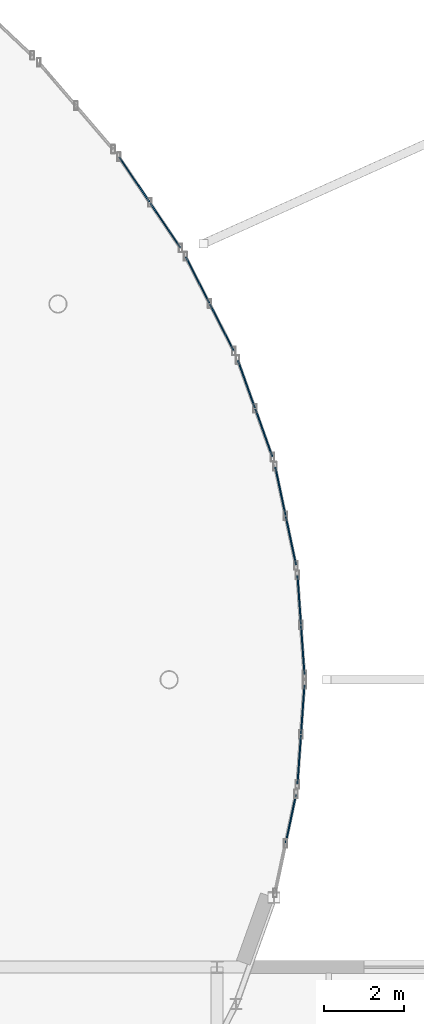
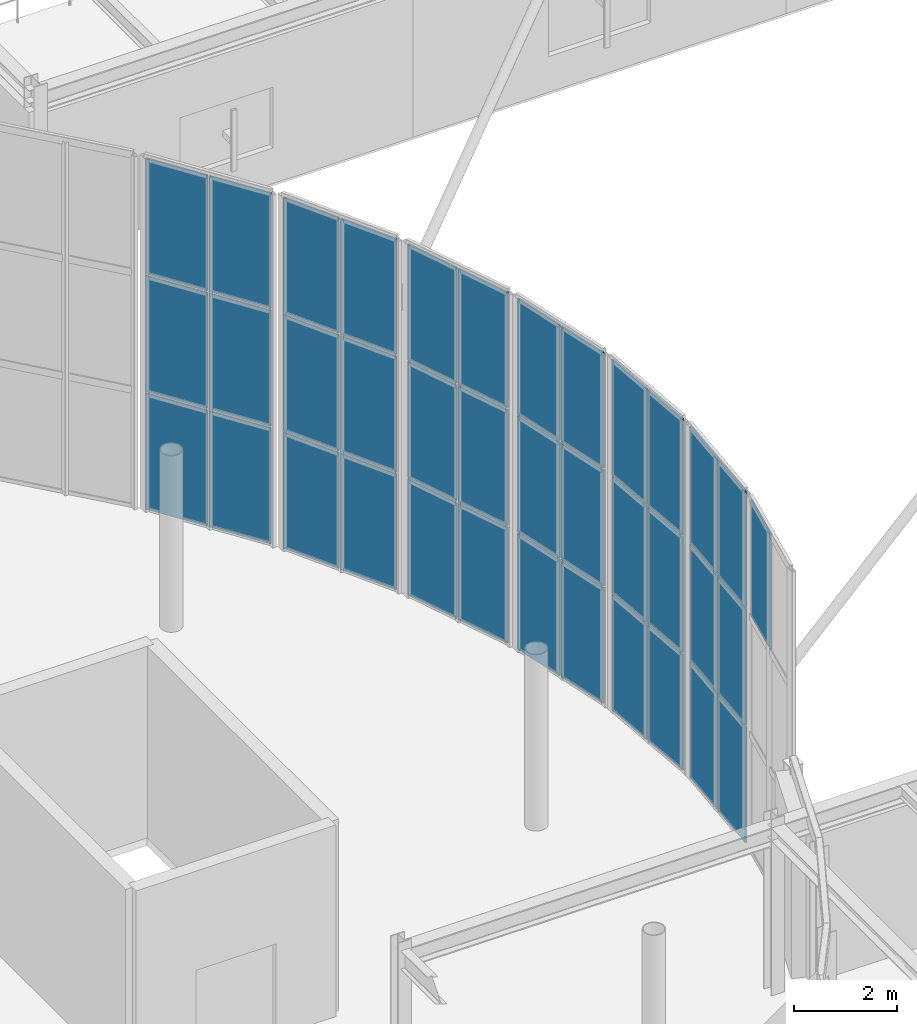
# One storey, part 49 of 109: 37 plates, 7 elements without a shape of their own.
"""IFC4 building model written with IfcOpenShell, lengths in metres."""

import ifcopenshell
import ifcopenshell.guid

model = None  # the IFC model being written
_history = None  # IfcOwnerHistory: only IFC2X3 demands one
_inside = {}  # id of a spatial element -> (the spatial element, [elements in it])
_under = {}  # id of a project, library or spatial element -> (it, [spatial elements below it])
_declared = {}  # id of a project -> (the project, [libraries it declares])
_typed = {}  # id of a type object -> (the type object, [elements of that type])
_made_of = {}  # id of a material, layer set ... -> (it, [elements and type objects made of it])


def new_model(schema):
    """Start an empty IFC model of exactly this schema.

    Asked for "IFC4X3", IfcOpenShell would pick the latest addendum, in which some entities
    have other attributes; the version numbers below select the first issue.
    IFC2X3 requires an IfcOwnerHistory on every rooted entity: one is made here for all.
    """
    global model, _history
    if schema == "IFC4X3":
        model = ifcopenshell.file(schema_version=(4, 3, 0, 0))
    else:
        model = ifcopenshell.file(schema=schema)
    _inside.clear()
    _under.clear()
    _declared.clear()
    _typed.clear()
    _made_of.clear()
    _history = None
    if model.schema == "IFC2X3":
        org = make("IfcOrganization", Name="unknown")
        user = make(
            "IfcPersonAndOrganization",
            ThePerson=make("IfcPerson", FamilyName="unknown"),
            TheOrganization=org,
        )
        app = make(
            "IfcApplication",
            ApplicationDeveloper=org,
            Version="unknown",
            ApplicationFullName="unknown",
            ApplicationIdentifier="unknown",
        )
        _history = make(
            "IfcOwnerHistory",
            OwningUser=user,
            OwningApplication=app,
            ChangeAction="ADDED",
            CreationDate=0,
        )
    return model


def make(cls, **values):
    """One entity of the class cls with the attributes given. An attribute that is None is left unset."""
    return model.create_entity(
        cls, **{name: value for name, value in values.items() if value is not None}
    )


def rooted(cls, **values):
    """An entity with a GlobalId (a new one), such as an element, a storey or a relation."""
    return make(cls, GlobalId=ifcopenshell.guid.new(), OwnerHistory=_history, **values)


def si_unit(unit_type, name, prefix=None):
    """IfcSIUnit, for example si_unit("LENGTHUNIT", "METRE", prefix="MILLI")."""
    return make("IfcSIUnit", UnitType=unit_type, Prefix=prefix, Name=name)


def derived_unit(unit_type, elements):
    """IfcDerivedUnit: a product of units, each with its exponent."""
    return make(
        "IfcDerivedUnit",
        Elements=[
            make("IfcDerivedUnitElement", Unit=unit, Exponent=power)
            for unit, power in elements
        ],
        UnitType=unit_type,
    )


def assignment(units):
    """IfcUnitAssignment: the units of a project."""
    return None if units is None else make("IfcUnitAssignment", Units=units)


def point(xyz):
    """IfcCartesianPoint."""
    return None if xyz is None else make("IfcCartesianPoint", Coordinates=xyz)


def direction(xyz):
    """IfcDirection."""
    return None if xyz is None else make("IfcDirection", DirectionRatios=xyz)


def frame(location, z_axis=None, x_axis=None):
    """IfcAxis2Placement3D, a coordinate frame: its origin and axes. An axis left out is left unset."""
    return make(
        "IfcAxis2Placement3D",
        Location=point(location),
        Axis=direction(z_axis),
        RefDirection=direction(x_axis),
    )


def frame_2d(location, x_axis=None):
    """IfcAxis2Placement2D, a coordinate frame in the plane: its origin and x axis."""
    return make(
        "IfcAxis2Placement2D", Location=point(location), RefDirection=direction(x_axis)
    )


def origin():
    """The frame at (0, 0, 0) with its axes left unset."""
    return frame((0.0, 0.0, 0.0))


def origin_2d():
    """The frame at (0, 0) in the plane with its x axis left unset."""
    return frame_2d((0.0, 0.0))


def place(relative_to, where):
    """IfcLocalPlacement: puts the frame where relative to a parent placement (None: the world)."""
    return make(
        "IfcLocalPlacement", PlacementRelTo=relative_to, RelativePlacement=where
    )


def context(
    kind, dimensions, precision=None, world=None, true_north=None, identifier=None
):
    """IfcGeometricRepresentationContext, for example the 3D "Model" context."""
    return make(
        "IfcGeometricRepresentationContext",
        ContextIdentifier=identifier,
        ContextType=kind,
        CoordinateSpaceDimension=dimensions,
        Precision=precision,
        WorldCoordinateSystem=world,
        TrueNorth=true_north,
    )


def subcontext(parent, identifier, kind, view, scale=None):
    """IfcGeometricRepresentationSubContext, for example "Body" below "Model"."""
    return make(
        "IfcGeometricRepresentationSubContext",
        ContextIdentifier=identifier,
        ContextType=kind,
        ParentContext=parent,
        TargetScale=scale,
        TargetView=view,
    )


def project(units=None, contexts=None):
    """IfcProject with its units and contexts."""
    return rooted(
        "IfcProject",
        Name="project",
        RepresentationContexts=contexts,
        UnitsInContext=assignment(units),
    )


def spatial(cls, under=None, at=None, **own):
    """A site, building, storey or space (cls), placed at a placement, below another one or the project."""
    s = rooted(cls, ObjectPlacement=at, **own)
    if under is not None:
        _under.setdefault(under.id(), (under, []))[1].append(s)
    return s


def profile(cls, at=None, kind="AREA", **sizes):
    """A parametric profile (cls). Its sizes go by their IFC names, for example OverallWidth=200.0."""
    return make(cls, ProfileType=kind, Position=at, **sizes)


def rectangle(**sizes):
    """IfcRectangleProfileDef."""
    return profile("IfcRectangleProfileDef", **sizes)


def extrude(swept, where, along, depth):
    """IfcExtrudedAreaSolid: the profile swept, set in the frame where, extruded along a direction by depth."""
    return make(
        "IfcExtrudedAreaSolid",
        SweptArea=swept,
        Position=where,
        ExtrudedDirection=direction(along),
        Depth=depth,
    )


def shape(context_of_items, identifier, shape_type, items):
    """IfcShapeRepresentation: the items that make up one representation, for example the "Body"."""
    return make(
        "IfcShapeRepresentation",
        ContextOfItems=context_of_items,
        RepresentationIdentifier=identifier,
        RepresentationType=shape_type,
        Items=items,
    )


def material(Name=None, Category=None):
    """IfcMaterial."""
    return make("IfcMaterial", Name=Name, Category=Category)


def layer(
    of_material, thickness, ventilated=None, Name=None, Category=None, Priority=None
):
    """IfcMaterialLayer: one layer of a wall or slab, of a material (None: an air gap)."""
    return make(
        "IfcMaterialLayer",
        Material=of_material,
        LayerThickness=thickness,
        IsVentilated=ventilated,
        Name=Name,
        Category=Category,
        Priority=Priority,
    )


def layer_set(layers, Name=None):
    """IfcMaterialLayerSet."""
    return make("IfcMaterialLayerSet", MaterialLayers=layers, LayerSetName=Name)


def made_of(thing, what):
    """Note that an element or type object is made of a material, layer set ...; save() writes the relation."""
    if what is not None:
        _made_of.setdefault(what.id(), (what, []))[1].append(thing)
    return thing


def type_object(cls, material=None, **own):
    """A type object (cls), such as IfcWallType, which elements share."""
    return made_of(rooted(cls, **own), material)


def element(
    cls,
    number,
    at=None,
    inside=None,
    cuts=None,
    type_object=None,
    material=None,
    context=None,
    identifier="Body",
    shape_type=None,
    held_by="IfcProductDefinitionShape",
    body=None,
    shapes=None,
    **own,
):
    """One element of the class cls, such as IfcWall. Its Tag is "e" and its number.

    at: its placement. inside: the storey or other place that contains it. cuts: it is an
    opening in that element (IfcRelVoidsElement). A single representation is given by context,
    identifier, shape_type and body (its items); several are given by shapes. held_by: the class
    of the entity that holds the representations. save() writes the other relations.
    """
    e = rooted(cls, Tag="e%d" % number, ObjectPlacement=at, **own)
    if body is not None:
        shapes = [shape(context, identifier, shape_type, body)]
    if shapes is not None:
        e.Representation = make(held_by, Representations=shapes)
    if inside is not None:
        _inside.setdefault(inside.id(), (inside, []))[1].append(e)
    if cuts is not None:
        rooted(
            "IfcRelVoidsElement", RelatingBuildingElement=cuts, RelatedOpeningElement=e
        )
    if type_object is not None:
        _typed.setdefault(type_object.id(), (type_object, []))[1].append(e)
    return made_of(e, material)


def aggregate(whole, parts):
    """IfcRelAggregates: a whole, such as a stair, and the parts it consists of."""
    return rooted("IfcRelAggregates", RelatingObject=whole, RelatedObjects=parts)


def save(model, path):
    """Write the relations noted so far, then the file.

    IfcRelAggregates (storeys below a building ...), IfcRelContainedInSpatialStructure (elements
    in a storey), IfcRelDefinesByType, IfcRelAssociatesMaterial and IfcRelDeclares: one each for
    every whole, place, type object, material and project.
    """
    for whole, parts in _under.values():
        aggregate(whole, parts)
    for where, things in _inside.values():
        rooted(
            "IfcRelContainedInSpatialStructure",
            RelatedElements=things,
            RelatingStructure=where,
        )
    for kind, things in _typed.values():
        rooted("IfcRelDefinesByType", RelatedObjects=things, RelatingType=kind)
    for what, things in _made_of.values():
        rooted("IfcRelAssociatesMaterial", RelatedObjects=things, RelatingMaterial=what)
    for by, libraries in _declared.values():
        rooted("IfcRelDeclares", RelatingContext=by, RelatedDefinitions=libraries)
    model.write(path)


model = new_model("IFC4")

# Units and contexts
model_context = context("Model", 3, precision=1e-05, world=origin(), true_north=direction((0.0, 1.0)))
body_context = subcontext(model_context, "Body", "Model", "MODEL_VIEW")
ifc_project = project(units=[si_unit("LENGTHUNIT", "METRE"), si_unit("AREAUNIT", "SQUARE_METRE"), si_unit("VOLUMEUNIT", "CUBIC_METRE"), si_unit("PLANEANGLEUNIT", "RADIAN"), si_unit("MASSUNIT", "GRAM", prefix="KILO"), derived_unit("THERMALTRANSMITTANCEUNIT", [(si_unit("MASSUNIT", "GRAM", prefix="KILO"), 1), (si_unit("TIMEUNIT", "SECOND"), -3), (si_unit("THERMODYNAMICTEMPERATUREUNIT", "KELVIN"), -1)])], contexts=[model_context])

# Site, building, storey
site_placement = place(None, origin())
site = spatial("IfcSite", under=ifc_project, at=site_placement, CompositionType="ELEMENT")
building_placement = place(site_placement, origin())
building = spatial("IfcBuilding", under=site, at=building_placement, Name="Kharveza Railside Sports Centre", CompositionType="ELEMENT")
storey_placement = place(building_placement, frame((0.0, 0.0, 4.5)))
storey = spatial("IfcBuildingStorey", under=building, at=storey_placement, Name="L01", CompositionType="ELEMENT", Elevation=4.5)

# Curtain wall, plates
ifc_material = material(Name="Low-E solar-control laminated glass", Category="glass")
curtain_wall_type = type_object("IfcCurtainWallType", Name="CW-DR01", PredefinedType="NOTDEFINED", material=ifc_material)
curtain_wall_1_placement = place(storey_placement, origin())
curtain_wall_1 = element("IfcCurtainWall", 1, at=curtain_wall_1_placement, inside=storey, type_object=curtain_wall_type, Name="CW-DRUM-01", PredefinedType="NOTDEFINED")
ifc_layer = layer(ifc_material, 0.035888671875, Name="Low-E solar-control laminated glass")
ifc_layer_set = layer_set([ifc_layer], Name="Low-E solar-control laminated glass")
plate_type = type_object("IfcPlateType", Name="PL-CP01", PredefinedType="CURTAIN_PANEL", material=ifc_layer_set)
plate_1_placement = place(storey_placement, frame((94.547607421875, 51.14599609375, 0.02001953125), z_axis=(0.0, 0.0, 1.0), x_axis=(-0.070017633008, 0.997545753872, 0.0)))
plate_1 = element("IfcPlate", 2, at=plate_1_placement, type_object=plate_type, Name="CW-DRUM-01-PN11", PredefinedType="CURTAIN_PANEL", context=body_context, shape_type="SweptSolid", body=[
    extrude(rectangle(XDim=1.215576171875, YDim=0.035888671875, at=origin_2d()), origin(), (0.0, 0.0, 1.0), 2.760009765625),
])
plate_2_placement = place(storey_placement, frame((94.547607421875, 51.14599609375, 2.81982421875), z_axis=(0.0, 0.0, 1.0), x_axis=(-0.070017633008, 0.997545753872, 0.0)))
plate_2 = element("IfcPlate", 3, at=plate_2_placement, type_object=plate_type, Name="CW-DRUM-01-PN12", PredefinedType="CURTAIN_PANEL", context=body_context, shape_type="SweptSolid", body=[
    extrude(rectangle(XDim=1.215576171875, YDim=0.035888671875, at=origin_2d()), origin(), (0.0, 0.0, 1.0), 2.760009765625),
])
plate_3_placement = place(storey_placement, frame((94.547607421875, 51.14599609375, 5.6201171875), z_axis=(0.0, 0.0, 1.0), x_axis=(-0.070017633008, 0.997545753872, 0.0)))
plate_3 = element("IfcPlate", 4, at=plate_3_placement, type_object=plate_type, Name="CW-DRUM-01-PN13", PredefinedType="CURTAIN_PANEL", context=body_context, shape_type="SweptSolid", body=[
    extrude(rectangle(XDim=1.215576171875, YDim=0.035888671875, at=origin_2d()), origin(), (0.0, 0.0, 1.0), 2.760009765625),
])
plate_4_placement = place(storey_placement, frame((94.459716796875, 52.3984375, 0.02001953125), z_axis=(0.0, 0.0, 1.0), x_axis=(-0.070017633008, 0.997545753872, 0.0)))
plate_4 = element("IfcPlate", 5, at=plate_4_placement, type_object=plate_type, Name="CW-DRUM-01-PN21", PredefinedType="CURTAIN_PANEL", context=body_context, shape_type="SweptSolid", body=[
    extrude(rectangle(XDim=1.215576171875, YDim=0.035888671875, at=origin_2d()), origin(), (0.0, 0.0, 1.0), 2.760009765625),
])
plate_5_placement = place(storey_placement, frame((94.459716796875, 52.3984375, 2.81982421875), z_axis=(0.0, 0.0, 1.0), x_axis=(-0.070017633008, 0.997545753872, 0.0)))
plate_5 = element("IfcPlate", 6, at=plate_5_placement, type_object=plate_type, Name="CW-DRUM-01-PN22", PredefinedType="CURTAIN_PANEL", context=body_context, shape_type="SweptSolid", body=[
    extrude(rectangle(XDim=1.215576171875, YDim=0.035888671875, at=origin_2d()), origin(), (0.0, 0.0, 1.0), 2.760009765625),
])
plate_6_placement = place(storey_placement, frame((94.459716796875, 52.3984375, 5.6201171875), z_axis=(0.0, 0.0, 1.0), x_axis=(-0.070017633008, 0.997545753872, 0.0)))
plate_6 = element("IfcPlate", 7, at=plate_6_placement, type_object=plate_type, Name="CW-DRUM-01-PN23", PredefinedType="CURTAIN_PANEL", context=body_context, shape_type="SweptSolid", body=[
    extrude(rectangle(XDim=1.215576171875, YDim=0.035888671875, at=origin_2d()), origin(), (0.0, 0.0, 1.0), 2.760009765625),
])
aggregate(curtain_wall_1, [plate_1, plate_2, plate_3, plate_4, plate_5, plate_6])

curtain_wall_2_placement = place(storey_placement, origin())
curtain_wall_2 = element("IfcCurtainWall", 8, at=curtain_wall_2_placement, inside=storey, type_object=curtain_wall_type, Name="CW-DRUM-02", PredefinedType="NOTDEFINED")
plate_7_placement = place(storey_placement, frame((94.2509765625, 53.8828125, 0.02001953125), z_axis=(0.0, 0.0, 1.0), x_axis=(-0.207297061555, 0.978278042415, 0.0)))
plate_7 = element("IfcPlate", 9, at=plate_7_placement, type_object=plate_type, Name="CW-DRUM-02-PN11", PredefinedType="CURTAIN_PANEL", context=body_context, shape_type="SweptSolid", body=[
    extrude(rectangle(XDim=1.229248046875, YDim=0.035888671875, at=origin_2d()), origin(), (0.0, 0.0, 1.0), 2.760009765625),
])
plate_8_placement = place(storey_placement, frame((94.2509765625, 53.8828125, 2.81982421875), z_axis=(0.0, 0.0, 1.0), x_axis=(-0.207297061555, 0.978278042415, 0.0)))
plate_8 = element("IfcPlate", 10, at=plate_8_placement, type_object=plate_type, Name="CW-DRUM-02-PN12", PredefinedType="CURTAIN_PANEL", context=body_context, shape_type="SweptSolid", body=[
    extrude(rectangle(XDim=1.229248046875, YDim=0.035888671875, at=origin_2d()), origin(), (0.0, 0.0, 1.0), 2.760009765625),
])
plate_9_placement = place(storey_placement, frame((94.2509765625, 53.8828125, 5.6201171875), z_axis=(0.0, 0.0, 1.0), x_axis=(-0.207297061555, 0.978278042415, 0.0)))
plate_9 = element("IfcPlate", 11, at=plate_9_placement, type_object=plate_type, Name="CW-DRUM-02-PN13", PredefinedType="CURTAIN_PANEL", context=body_context, shape_type="SweptSolid", body=[
    extrude(rectangle(XDim=1.229248046875, YDim=0.035888671875, at=origin_2d()), origin(), (0.0, 0.0, 1.0), 2.760009765625),
])
plate_10_placement = place(storey_placement, frame((93.98779296875, 55.124267578125, 0.02001953125), z_axis=(0.0, 0.0, 1.0), x_axis=(-0.207297061555, 0.978278042415, 0.0)))
plate_10 = element("IfcPlate", 12, at=plate_10_placement, type_object=plate_type, Name="CW-DRUM-02-PN21", PredefinedType="CURTAIN_PANEL", context=body_context, shape_type="SweptSolid", body=[
    extrude(rectangle(XDim=1.229248046875, YDim=0.035888671875, at=origin_2d()), origin(), (0.0, 0.0, 1.0), 2.760009765625),
])
plate_11_placement = place(storey_placement, frame((93.98779296875, 55.124267578125, 2.81982421875), z_axis=(0.0, 0.0, 1.0), x_axis=(-0.207297061555, 0.978278042415, 0.0)))
plate_11 = element("IfcPlate", 13, at=plate_11_placement, type_object=plate_type, Name="CW-DRUM-02-PN22", PredefinedType="CURTAIN_PANEL", context=body_context, shape_type="SweptSolid", body=[
    extrude(rectangle(XDim=1.229248046875, YDim=0.035888671875, at=origin_2d()), origin(), (0.0, 0.0, 1.0), 2.760009765625),
])
plate_12_placement = place(storey_placement, frame((93.98779296875, 55.124267578125, 5.6201171875), z_axis=(0.0, 0.0, 1.0), x_axis=(-0.207297061555, 0.978278042415, 0.0)))
plate_12 = element("IfcPlate", 14, at=plate_12_placement, type_object=plate_type, Name="CW-DRUM-02-PN23", PredefinedType="CURTAIN_PANEL", context=body_context, shape_type="SweptSolid", body=[
    extrude(rectangle(XDim=1.229248046875, YDim=0.035888671875, at=origin_2d()), origin(), (0.0, 0.0, 1.0), 2.760009765625),
])
aggregate(curtain_wall_2, [plate_7, plate_8, plate_9, plate_10, plate_11, plate_12])

curtain_wall_3_placement = place(storey_placement, origin())
curtain_wall_3 = element("IfcCurtainWall", 15, at=curtain_wall_3_placement, inside=storey, type_object=curtain_wall_type, Name="CW-DRUM-03", PredefinedType="NOTDEFINED")
plate_13_placement = place(storey_placement, frame((93.57275390625, 56.58544921875, 0.02001953125), z_axis=(0.0, 0.0, 1.0), x_axis=(-0.336914502843, 0.941535245105, 0.0)))
plate_13 = element("IfcPlate", 16, at=plate_13_placement, type_object=plate_type, Name="CW-DRUM-03-PN11", PredefinedType="CURTAIN_PANEL", context=body_context, shape_type="SweptSolid", body=[
    extrude(rectangle(XDim=1.255615234375, YDim=0.035888671875, at=origin_2d()), origin(), (0.0, 0.0, 1.0), 2.760009765625),
])
plate_14_placement = place(storey_placement, frame((93.57275390625, 56.58544921875, 2.81982421875), z_axis=(0.0, 0.0, 1.0), x_axis=(-0.336914502843, 0.941535245105, 0.0)))
plate_14 = element("IfcPlate", 17, at=plate_14_placement, type_object=plate_type, Name="CW-DRUM-03-PN12", PredefinedType="CURTAIN_PANEL", context=body_context, shape_type="SweptSolid", body=[
    extrude(rectangle(XDim=1.255615234375, YDim=0.035888671875, at=origin_2d()), origin(), (0.0, 0.0, 1.0), 2.760009765625),
])
plate_15_placement = place(storey_placement, frame((93.57275390625, 56.58544921875, 5.6201171875), z_axis=(0.0, 0.0, 1.0), x_axis=(-0.336914502843, 0.941535245105, 0.0)))
plate_15 = element("IfcPlate", 18, at=plate_15_placement, type_object=plate_type, Name="CW-DRUM-03-PN13", PredefinedType="CURTAIN_PANEL", context=body_context, shape_type="SweptSolid", body=[
    extrude(rectangle(XDim=1.255615234375, YDim=0.035888671875, at=origin_2d()), origin(), (0.0, 0.0, 1.0), 2.760009765625),
])
plate_16_placement = place(storey_placement, frame((93.13623046875, 57.80517578125, 0.02001953125), z_axis=(0.0, 0.0, 1.0), x_axis=(-0.336914502843, 0.941535245105, 0.0)))
plate_16 = element("IfcPlate", 19, at=plate_16_placement, type_object=plate_type, Name="CW-DRUM-03-PN21", PredefinedType="CURTAIN_PANEL", context=body_context, shape_type="SweptSolid", body=[
    extrude(rectangle(XDim=1.255615234375, YDim=0.035888671875, at=origin_2d()), origin(), (0.0, 0.0, 1.0), 2.760009765625),
])
plate_17_placement = place(storey_placement, frame((93.13623046875, 57.80517578125, 2.81982421875), z_axis=(0.0, 0.0, 1.0), x_axis=(-0.336914502843, 0.941535245105, 0.0)))
plate_17 = element("IfcPlate", 20, at=plate_17_placement, type_object=plate_type, Name="CW-DRUM-03-PN22", PredefinedType="CURTAIN_PANEL", context=body_context, shape_type="SweptSolid", body=[
    extrude(rectangle(XDim=1.255615234375, YDim=0.035888671875, at=origin_2d()), origin(), (0.0, 0.0, 1.0), 2.760009765625),
])
plate_18_placement = place(storey_placement, frame((93.13623046875, 57.80517578125, 5.6201171875), z_axis=(0.0, 0.0, 1.0), x_axis=(-0.336914502843, 0.941535245105, 0.0)))
plate_18 = element("IfcPlate", 21, at=plate_18_placement, type_object=plate_type, Name="CW-DRUM-03-PN23", PredefinedType="CURTAIN_PANEL", context=body_context, shape_type="SweptSolid", body=[
    extrude(rectangle(XDim=1.255615234375, YDim=0.035888671875, at=origin_2d()), origin(), (0.0, 0.0, 1.0), 2.760009765625),
])
aggregate(curtain_wall_3, [plate_13, plate_14, plate_15, plate_16, plate_17, plate_18])

curtain_wall_4_placement = place(storey_placement, origin())
curtain_wall_4 = element("IfcCurtainWall", 22, at=curtain_wall_4_placement, inside=storey, type_object=curtain_wall_type, Name="CW-DRUM-04", PredefinedType="NOTDEFINED")
plate_19_placement = place(storey_placement, frame((92.519775390625, 59.228271484375, 0.02001953125), z_axis=(0.0, 0.0, 1.0), x_axis=(-0.455140894588, 0.890419432669, 0.0)))
plate_19 = element("IfcPlate", 23, at=plate_19_placement, type_object=plate_type, Name="CW-DRUM-04-PN11", PredefinedType="CURTAIN_PANEL", context=body_context, shape_type="SweptSolid", body=[
    extrude(rectangle(XDim=1.292724609375, YDim=0.035888671875, at=origin_2d()), origin(), (0.0, 0.0, 1.0), 2.760009765625),
])
plate_20_placement = place(storey_placement, frame((92.519775390625, 59.228271484375, 2.81982421875), z_axis=(0.0, 0.0, 1.0), x_axis=(-0.455140894588, 0.890419432669, 0.0)))
plate_20 = element("IfcPlate", 24, at=plate_20_placement, type_object=plate_type, Name="CW-DRUM-04-PN12", PredefinedType="CURTAIN_PANEL", context=body_context, shape_type="SweptSolid", body=[
    extrude(rectangle(XDim=1.292724609375, YDim=0.035888671875, at=origin_2d()), origin(), (0.0, 0.0, 1.0), 2.760009765625),
])
plate_21_placement = place(storey_placement, frame((92.519775390625, 59.228271484375, 5.6201171875), z_axis=(0.0, 0.0, 1.0), x_axis=(-0.455140894588, 0.890419432669, 0.0)))
plate_21 = element("IfcPlate", 25, at=plate_21_placement, type_object=plate_type, Name="CW-DRUM-04-PN13", PredefinedType="CURTAIN_PANEL", context=body_context, shape_type="SweptSolid", body=[
    extrude(rectangle(XDim=1.292724609375, YDim=0.035888671875, at=origin_2d()), origin(), (0.0, 0.0, 1.0), 2.760009765625),
])
plate_22_placement = place(storey_placement, frame((91.9130859375, 60.414794921875, 0.02001953125), z_axis=(0.0, 0.0, 1.0), x_axis=(-0.455140894588, 0.890419432669, 0.0)))
plate_22 = element("IfcPlate", 26, at=plate_22_placement, type_object=plate_type, Name="CW-DRUM-04-PN21", PredefinedType="CURTAIN_PANEL", context=body_context, shape_type="SweptSolid", body=[
    extrude(rectangle(XDim=1.292724609375, YDim=0.035888671875, at=origin_2d()), origin(), (0.0, 0.0, 1.0), 2.760009765625),
])
plate_23_placement = place(storey_placement, frame((91.9130859375, 60.414794921875, 2.81982421875), z_axis=(0.0, 0.0, 1.0), x_axis=(-0.455140894588, 0.890419432669, 0.0)))
plate_23 = element("IfcPlate", 27, at=plate_23_placement, type_object=plate_type, Name="CW-DRUM-04-PN22", PredefinedType="CURTAIN_PANEL", context=body_context, shape_type="SweptSolid", body=[
    extrude(rectangle(XDim=1.292724609375, YDim=0.035888671875, at=origin_2d()), origin(), (0.0, 0.0, 1.0), 2.760009765625),
])
plate_24_placement = place(storey_placement, frame((91.9130859375, 60.414794921875, 5.6201171875), z_axis=(0.0, 0.0, 1.0), x_axis=(-0.455140894588, 0.890419432669, 0.0)))
plate_24 = element("IfcPlate", 28, at=plate_24_placement, type_object=plate_type, Name="CW-DRUM-04-PN23", PredefinedType="CURTAIN_PANEL", context=body_context, shape_type="SweptSolid", body=[
    extrude(rectangle(XDim=1.292724609375, YDim=0.035888671875, at=origin_2d()), origin(), (0.0, 0.0, 1.0), 2.760009765625),
])
aggregate(curtain_wall_4, [plate_19, plate_20, plate_21, plate_22, plate_23, plate_24])

curtain_wall_5_placement = place(storey_placement, origin())
curtain_wall_5 = element("IfcCurtainWall", 29, at=curtain_wall_5_placement, inside=storey, type_object=curtain_wall_type, Name="CW-DRUM-05", PredefinedType="NOTDEFINED")
plate_25_placement = place(storey_placement, frame((91.10205078125, 61.785888671875, 0.02001953125), z_axis=(0.0, 0.0, 1.0), x_axis=(-0.559843855522, 0.828598127825, 0.0)))
plate_25 = element("IfcPlate", 30, at=plate_25_placement, type_object=plate_type, Name="CW-DRUM-05-PN11", PredefinedType="CURTAIN_PANEL", context=body_context, shape_type="SweptSolid", body=[
    extrude(rectangle(XDim=1.3388671875, YDim=0.035888671875, at=origin_2d()), origin(), (0.0, 0.0, 1.0), 2.760009765625),
])
plate_26_placement = place(storey_placement, frame((91.10205078125, 61.785888671875, 2.81982421875), z_axis=(0.0, 0.0, 1.0), x_axis=(-0.559843855522, 0.828598127825, 0.0)))
plate_26 = element("IfcPlate", 31, at=plate_26_placement, type_object=plate_type, Name="CW-DRUM-05-PN12", PredefinedType="CURTAIN_PANEL", context=body_context, shape_type="SweptSolid", body=[
    extrude(rectangle(XDim=1.3388671875, YDim=0.035888671875, at=origin_2d()), origin(), (0.0, 0.0, 1.0), 2.760009765625),
])
plate_27_placement = place(storey_placement, frame((91.10205078125, 61.785888671875, 5.6201171875), z_axis=(0.0, 0.0, 1.0), x_axis=(-0.559843855522, 0.828598127825, 0.0)))
plate_27 = element("IfcPlate", 32, at=plate_27_placement, type_object=plate_type, Name="CW-DRUM-05-PN13", PredefinedType="CURTAIN_PANEL", context=body_context, shape_type="SweptSolid", body=[
    extrude(rectangle(XDim=1.3388671875, YDim=0.035888671875, at=origin_2d()), origin(), (0.0, 0.0, 1.0), 2.760009765625),
])
plate_28_placement = place(storey_placement, frame((90.330078125, 62.928466796875, 0.02001953125), z_axis=(0.0, 0.0, 1.0), x_axis=(-0.559843855522, 0.828598127825, 0.0)))
plate_28 = element("IfcPlate", 33, at=plate_28_placement, type_object=plate_type, Name="CW-DRUM-05-PN21", PredefinedType="CURTAIN_PANEL", context=body_context, shape_type="SweptSolid", body=[
    extrude(rectangle(XDim=1.3388671875, YDim=0.035888671875, at=origin_2d()), origin(), (0.0, 0.0, 1.0), 2.760009765625),
])
plate_29_placement = place(storey_placement, frame((90.330078125, 62.928466796875, 2.81982421875), z_axis=(0.0, 0.0, 1.0), x_axis=(-0.559843855522, 0.828598127825, 0.0)))
plate_29 = element("IfcPlate", 34, at=plate_29_placement, type_object=plate_type, Name="CW-DRUM-05-PN22", PredefinedType="CURTAIN_PANEL", context=body_context, shape_type="SweptSolid", body=[
    extrude(rectangle(XDim=1.3388671875, YDim=0.035888671875, at=origin_2d()), origin(), (0.0, 0.0, 1.0), 2.760009765625),
])
plate_30_placement = place(storey_placement, frame((90.330078125, 62.928466796875, 5.6201171875), z_axis=(0.0, 0.0, 1.0), x_axis=(-0.559843855522, 0.828598127825, 0.0)))
plate_30 = element("IfcPlate", 35, at=plate_30_placement, type_object=plate_type, Name="CW-DRUM-05-PN23", PredefinedType="CURTAIN_PANEL", context=body_context, shape_type="SweptSolid", body=[
    extrude(rectangle(XDim=1.3388671875, YDim=0.035888671875, at=origin_2d()), origin(), (0.0, 0.0, 1.0), 2.760009765625),
])
aggregate(curtain_wall_5, [plate_25, plate_26, plate_27, plate_28, plate_29, plate_30])

# Curtain wall, plate
curtain_wall_6_placement = place(storey_placement, origin())
curtain_wall_6 = element("IfcCurtainWall", 36, at=curtain_wall_6_placement, inside=storey, type_object=curtain_wall_type, Name="CW-DRUM-63", PredefinedType="NOTDEFINED")
plate_31_placement = place(storey_placement, frame((94.2509765625, 46.917236328125, 5.6201171875), z_axis=(0.0, 0.0, 1.0), x_axis=(0.207297061555, 0.978278042415, 0.0)))
plate_31 = element("IfcPlate", 37, at=plate_31_placement, type_object=plate_type, Name="CW-DRUM-63-PN23", PredefinedType="CURTAIN_PANEL", context=body_context, shape_type="SweptSolid", body=[
    extrude(rectangle(XDim=1.229248046875, YDim=0.035888671875, at=origin_2d()), origin(), (0.0, 0.0, 1.0), 2.760009765625),
])
aggregate(curtain_wall_6, [plate_31])

# Curtain wall, plates
curtain_wall_7_placement = place(storey_placement, origin())
curtain_wall_7 = element("IfcCurtainWall", 38, at=curtain_wall_7_placement, inside=storey, type_object=curtain_wall_type, Name="CW-DRUM-64", PredefinedType="NOTDEFINED")
plate_32_placement = place(storey_placement, frame((94.459716796875, 48.401611328125, 0.02001953125), z_axis=(0.0, 0.0, 1.0), x_axis=(0.070017633008, 0.997545753872, 0.0)))
plate_32 = element("IfcPlate", 39, at=plate_32_placement, type_object=plate_type, Name="CW-DRUM-64-PN11", PredefinedType="CURTAIN_PANEL", context=body_context, shape_type="SweptSolid", body=[
    extrude(rectangle(XDim=1.215576171875, YDim=0.035888671875, at=origin_2d()), origin(), (0.0, 0.0, 1.0), 2.760009765625),
])
plate_33_placement = place(storey_placement, frame((94.459716796875, 48.401611328125, 2.81982421875), z_axis=(0.0, 0.0, 1.0), x_axis=(0.070017633008, 0.997545753872, 0.0)))
plate_33 = element("IfcPlate", 40, at=plate_33_placement, type_object=plate_type, Name="CW-DRUM-64-PN12", PredefinedType="CURTAIN_PANEL", context=body_context, shape_type="SweptSolid", body=[
    extrude(rectangle(XDim=1.215576171875, YDim=0.035888671875, at=origin_2d()), origin(), (0.0, 0.0, 1.0), 2.760009765625),
])
plate_34_placement = place(storey_placement, frame((94.459716796875, 48.401611328125, 5.6201171875), z_axis=(0.0, 0.0, 1.0), x_axis=(0.070017633008, 0.997545753872, 0.0)))
plate_34 = element("IfcPlate", 41, at=plate_34_placement, type_object=plate_type, Name="CW-DRUM-64-PN13", PredefinedType="CURTAIN_PANEL", context=body_context, shape_type="SweptSolid", body=[
    extrude(rectangle(XDim=1.215576171875, YDim=0.035888671875, at=origin_2d()), origin(), (0.0, 0.0, 1.0), 2.760009765625),
])
plate_35_placement = place(storey_placement, frame((94.547607421875, 49.654052734375, 0.02001953125), z_axis=(0.0, 0.0, 1.0), x_axis=(0.070017633008, 0.997545753872, 0.0)))
plate_35 = element("IfcPlate", 42, at=plate_35_placement, type_object=plate_type, Name="CW-DRUM-64-PN21", PredefinedType="CURTAIN_PANEL", context=body_context, shape_type="SweptSolid", body=[
    extrude(rectangle(XDim=1.215576171875, YDim=0.035888671875, at=origin_2d()), origin(), (0.0, 0.0, 1.0), 2.760009765625),
])
plate_36_placement = place(storey_placement, frame((94.547607421875, 49.654052734375, 2.81982421875), z_axis=(0.0, 0.0, 1.0), x_axis=(0.070017633008, 0.997545753872, 0.0)))
plate_36 = element("IfcPlate", 43, at=plate_36_placement, type_object=plate_type, Name="CW-DRUM-64-PN22", PredefinedType="CURTAIN_PANEL", context=body_context, shape_type="SweptSolid", body=[
    extrude(rectangle(XDim=1.215576171875, YDim=0.035888671875, at=origin_2d()), origin(), (0.0, 0.0, 1.0), 2.760009765625),
])
plate_37_placement = place(storey_placement, frame((94.547607421875, 49.654052734375, 5.6201171875), z_axis=(0.0, 0.0, 1.0), x_axis=(0.070017633008, 0.997545753872, 0.0)))
plate_37 = element("IfcPlate", 44, at=plate_37_placement, type_object=plate_type, Name="CW-DRUM-64-PN23", PredefinedType="CURTAIN_PANEL", context=body_context, shape_type="SweptSolid", body=[
    extrude(rectangle(XDim=1.215576171875, YDim=0.035888671875, at=origin_2d()), origin(), (0.0, 0.0, 1.0), 2.760009765625),
])
aggregate(curtain_wall_7, [plate_32, plate_33, plate_34, plate_35, plate_36, plate_37])

save(model, "model.ifc")
